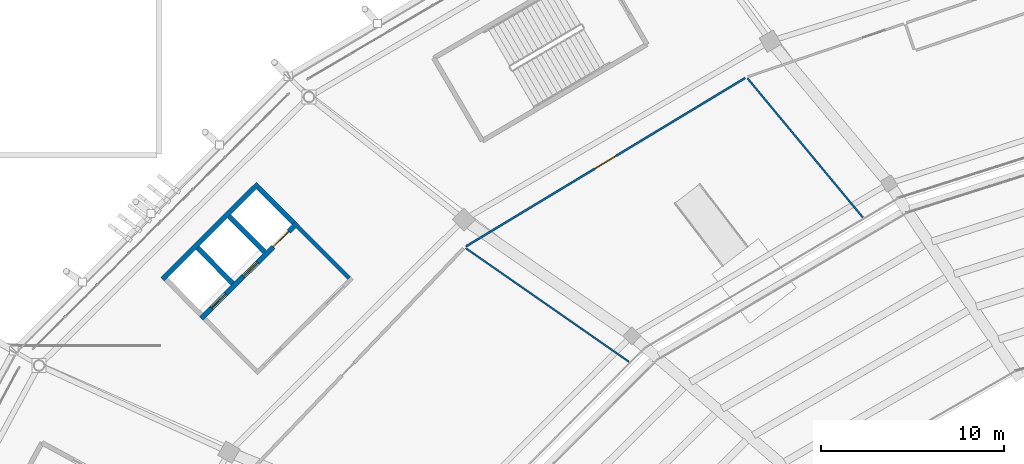
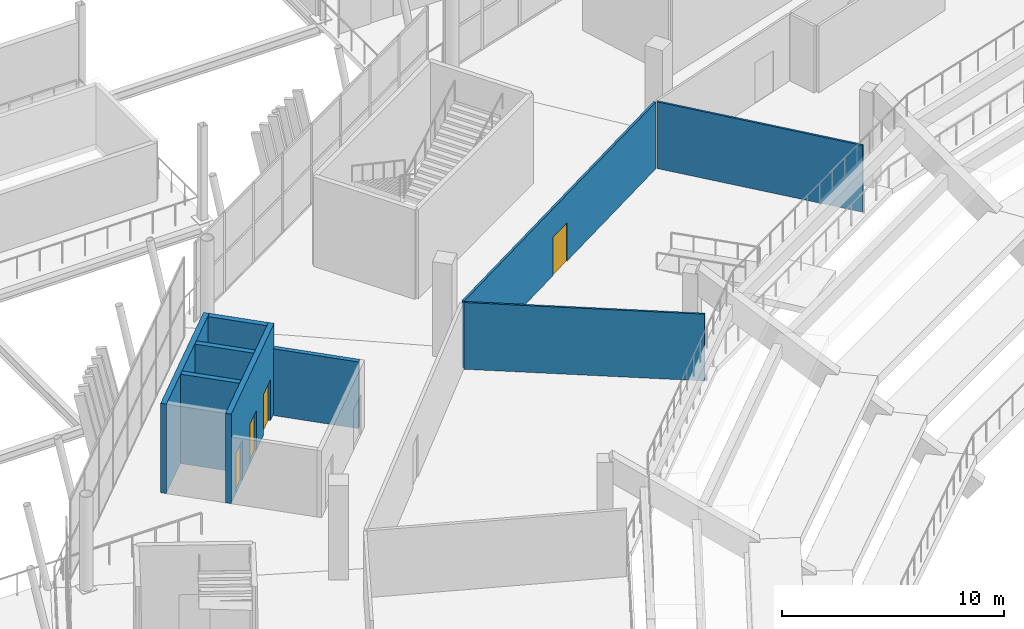
# One storey, part 125 of 178: 9 walls, 4 doors, 4 openings.
"""IFC4 building model written with IfcOpenShell, lengths in metres."""

from ifc_helpers import new_model, si_unit, direction, frame, frame_2d, origin, place, context, subcontext, project, spatial, rectangle, extrude, material, layer, layer_set, type_object, element, fill, save


model = new_model("IFC4")

# Units and contexts
model_context = context("Model", 3, precision=1e-05, world=origin(), true_north=direction((0.0, 1.0)))
body_context = subcontext(model_context, "Body", "Model", "MODEL_VIEW")
ifc_project = project(units=[si_unit("LENGTHUNIT", "METRE"), si_unit("AREAUNIT", "SQUARE_METRE"), si_unit("VOLUMEUNIT", "CUBIC_METRE"), si_unit("PLANEANGLEUNIT", "RADIAN"), si_unit("MASSUNIT", "GRAM", prefix="KILO")], contexts=[model_context])

# Site, building, storey
site_placement = place(None, origin())
site = spatial("IfcSite", under=ifc_project, at=site_placement, CompositionType="ELEMENT")
building_placement = place(site_placement, origin())
building = spatial("IfcBuilding", under=site, at=building_placement, Name="Zlatoyarsky Gate Stadium", CompositionType="ELEMENT")
storey_placement = place(building_placement, frame((0.0, 0.0, 5.39990234375)))
storey = spatial("IfcBuildingStorey", under=building, at=storey_placement, Name="L01", CompositionType="ELEMENT", Elevation=5.39990234375)

# Wall, opening, door
ifc_material_1 = material(Name="Anodised aluminium acoustic operable wall", Category="aluminium")
ifc_layer_1 = layer(ifc_material_1, 0.114990234375)
ifc_layer_set_1 = layer_set([ifc_layer_1], Name="Anodised aluminium acoustic operable wall")
wall_type_1 = type_object("IfcWallType", Name="ACOUSTIC OPERABLE SUITE WALL 115", PredefinedType="MOVABLE", material=ifc_layer_set_1)
wall_1_placement = place(storey_placement, frame((69.12548828125, 131.244384765625, 0.0), z_axis=(0.0, 0.0, 1.0), x_axis=(-0.856254564886, -0.516554082465, 0.0)))
wall_1 = element("IfcWall", 1, at=wall_1_placement, inside=storey, type_object=wall_type_1, Name="L01 vomitory portal wall PRT-L01-ICC-08", PredefinedType="MOVABLE", context=body_context, shape_type="SweptSolid", body=[
    extrude(rectangle(XDim=17.865966796875, YDim=0.114990234375, at=frame_2d((8.93310546875, 0.0))), origin(), (0.0, 0.0, 1.0), 3.670166015625),
])
opening_1_placement = place(wall_1_placement, frame((8.26318359375, 0.0, 0.0)))
opening_1 = element("IfcOpeningElement", 2, at=opening_1_placement, cuts=wall_1, Name="Opening D-L01-238", PredefinedType="OPENING", context=body_context, shape_type="SweptSolid", body=[
    extrude(rectangle(XDim=1.340087890625, YDim=2.10009765625, at=frame_2d((0.669921875, 1.050048828125))), frame((0.0, 0.0673828125, 0.0), z_axis=(0.0, -1.0, 0.0), x_axis=(1.0, 0.0, 0.0)), (0.0, 0.0, 1.0), 0.135009765625),
])
ifc_material_2 = material(Name="Solid-core oak veneer acoustic door", Category="wood")
door_type_1 = type_object("IfcDoorType", Name="ACOUSTIC INTERIOR DOOR 1340X2100", OperationType="NOTDEFINED", PredefinedType="DOOR", material=ifc_material_2)
door_1_placement = place(opening_1_placement, origin())
door_1 = element("IfcDoor", 3, at=door_1_placement, inside=storey, type_object=door_type_1, Name="L01 vomitory portal door D-L01-238", OperationType="SINGLE_SWING_RIGHT", OverallHeight=2.10009765625, OverallWidth=1.340087890625, PredefinedType="DOOR", context=body_context, shape_type="SweptSolid", body=[
    extrude(rectangle(XDim=1.340087890625, YDim=2.10009765625, at=frame_2d((0.669921875, 1.050048828125))), frame((0.0, 0.02490234375, 0.0), z_axis=(0.0, -1.0, 0.0), x_axis=(1.0, 0.0, 0.0)), (0.0, 0.0, 1.0), 0.050048828125),
])
fill(opening_1, door_1)

# Walls
ifc_material_3 = material(Name="Concrete C40/50", Category="concrete")
ifc_layer_2 = layer(ifc_material_3, 0.27001953125)
ifc_layer_set_2 = layer_set([ifc_layer_2], Name="Concrete C40/50")
wall_type_2 = type_object("IfcWallType", Name="CONCRETE LIFT SHAFT SHEAR WALL 270", PredefinedType="SHEAR", material=ifc_layer_set_2)
wall_2_placement = place(storey_placement, frame((42.452880859375, 125.443603515625, 0.0), z_axis=(0.0, 0.0, 1.0), x_axis=(-0.708902567846, -0.705306422274, 0.0)))
element("IfcWall", 4, at=wall_2_placement, inside=storey, type_object=wall_type_2, Name="C2 L01 lift shaft rear wall", PredefinedType="SHEAR", context=body_context, shape_type="SweptSolid", body=[
    extrude(rectangle(XDim=7.39990234375, YDim=0.27001953125, at=frame_2d((3.699951171875, 0.0))), origin(), (0.0, 0.0, 1.0), 4.920166015625),
])
for number, where, z_axis, x_axis, name in (
    (5, (42.45947265625, 125.24560546875, 0.0), (0.0, 0.0, 1.0), (0.705322518225, -0.708886553183, 0.0), "C2 L01 lift shaft left wall"),
    (6, (40.87158203125, 123.665771484375, 0.0), (0.0, 0.0, 1.0), (0.705322518225, -0.708886553183, 0.0), "C2 L01 lift shaft divider 1"),
    (7, (39.134765625, 121.937744140625, 0.0), (0.0, 0.0, 1.0), (0.705322518225, -0.708886553183, 0.0), "C2 L01 lift shaft divider 2"),
):
    element("IfcWall", number, at=place(storey_placement, frame(where, z_axis=z_axis, x_axis=x_axis)), inside=storey, type_object=wall_type_2, Name=name, PredefinedType="SHEAR", context=body_context, shape_type="SweptSolid", body=[
        extrude(rectangle(XDim=2.739990234375, YDim=0.27001953125, at=frame_2d((1.3701171875, 0.0))), origin(), (0.0, 0.0, 1.0), 4.920166015625),
    ])

# Wall, openings, doors
wall_3_placement = place(storey_placement, frame((44.590087890625, 123.295654296875, 0.0), z_axis=(0.0, 0.0, 1.0), x_axis=(-0.708918979457, -0.705289926602, 0.0)))
wall_3 = element("IfcWall", 8, at=wall_3_placement, inside=storey, type_object=wall_type_2, Name="C2 L01 lift landing front wall", PredefinedType="SHEAR", context=body_context, shape_type="SweptSolid", body=[
    extrude(rectangle(XDim=7.400146484375, YDim=0.27001953125, at=frame_2d((3.7001953125, 0.0))), origin(), (0.0, 0.0, 1.0), 4.920166015625),
])
opening_2_placement = place(wall_3_placement, frame((0.64990234375, 0.0, 0.0)))
opening_2 = element("IfcOpeningElement", 9, at=opening_2_placement, cuts=wall_3, Name="Opening LD-FL-02-L01", PredefinedType="OPENING", context=body_context, shape_type="SweptSolid", body=[
    extrude(rectangle(XDim=1.199951171875, YDim=2.25, at=frame_2d((0.60009765625, 1.125))), frame((0.0, 0.14501953125, 0.0), z_axis=(0.0, -1.0, 0.0), x_axis=(1.0, 0.0, 0.0)), (0.0, 0.0, 1.0), 0.2900390625),
])
opening_3_placement = place(wall_3_placement, frame((3.050048828125, 0.0, 0.0)))
opening_3 = element("IfcOpeningElement", 10, at=opening_3_placement, cuts=wall_3, Name="Opening LD-LF-03-L01", PredefinedType="OPENING", context=body_context, shape_type="SweptSolid", body=[
    extrude(rectangle(XDim=1.10009765625, YDim=2.199951171875, at=frame_2d((0.550048828125, 1.10009765625))), frame((0.0, 0.14501953125, 0.0), z_axis=(0.0, -1.0, 0.0), x_axis=(1.0, 0.0, 0.0)), (0.0, 0.0, 1.0), 0.2900390625),
])
opening_4_placement = place(wall_3_placement, frame((5.5, 0.0, 0.0)))
opening_4 = element("IfcOpeningElement", 11, at=opening_4_placement, cuts=wall_3, Name="Opening LD-LF-04-L01", PredefinedType="OPENING", context=body_context, shape_type="SweptSolid", body=[
    extrude(rectangle(XDim=1.10009765625, YDim=2.199951171875, at=frame_2d((0.550048828125, 1.10009765625))), frame((0.0, 0.14501953125, 0.0), z_axis=(0.0, -1.0, 0.0), x_axis=(1.0, 0.0, 0.0)), (0.0, 0.0, 1.0), 0.2900390625),
])
ifc_material_4 = material(Name="Powder-coated steel fire door", Category="steel")
door_type_2 = type_object("IfcDoorType", Name="STAINLESS LIFT LANDING SLIDING DOOR 1100X2200", OperationType="DOUBLE_DOOR_SLIDING", PredefinedType="DOOR", material=ifc_material_4)
door_2_placement = place(opening_3_placement, origin())
door_2 = element("IfcDoor", 12, at=door_2_placement, inside=storey, type_object=door_type_2, Name="Lift LF-03 L01 sliding landing door", OperationType="DOUBLE_DOOR_SLIDING", OverallHeight=2.199951171875, OverallWidth=1.10009765625, PredefinedType="DOOR", context=body_context, shape_type="SweptSolid", body=[
    extrude(rectangle(XDim=1.10009765625, YDim=2.199951171875, at=frame_2d((0.550048828125, 1.10009765625))), frame((0.0, 0.02490234375, 0.0), z_axis=(0.0, -1.0, 0.0), x_axis=(1.0, 0.0, 0.0)), (0.0, 0.0, 1.0), 0.050048828125),
])
fill(opening_3, door_2)
door_3_placement = place(opening_4_placement, origin())
door_3 = element("IfcDoor", 13, at=door_3_placement, inside=storey, type_object=door_type_2, Name="Lift LF-04 L01 sliding landing door", OperationType="DOUBLE_DOOR_SLIDING", OverallHeight=2.199951171875, OverallWidth=1.10009765625, PredefinedType="DOOR", context=body_context, shape_type="SweptSolid", body=[
    extrude(rectangle(XDim=1.10009765625, YDim=2.199951171875, at=frame_2d((0.550048828125, 1.10009765625))), frame((0.0, 0.02490234375, 0.0), z_axis=(0.0, -1.0, 0.0), x_axis=(1.0, 0.0, 0.0)), (0.0, 0.0, 1.0), 0.050048828125),
])
fill(opening_4, door_3)
door_type_3 = type_object("IfcDoorType", Name="STAINLESS LIFT LANDING SLIDING DOOR 1200X2250", OperationType="DOUBLE_DOOR_SLIDING", PredefinedType="DOOR", material=ifc_material_4)
door_4_placement = place(opening_2_placement, origin())
door_4 = element("IfcDoor", 14, at=door_4_placement, inside=storey, type_object=door_type_3, Name="Lift FL-02 L01 sliding landing door", OperationType="DOUBLE_DOOR_SLIDING", OverallHeight=2.25, OverallWidth=1.199951171875, PredefinedType="DOOR", context=body_context, shape_type="SweptSolid", body=[
    extrude(rectangle(XDim=1.199951171875, YDim=2.25, at=frame_2d((0.60009765625, 1.125))), frame((0.0, 0.02490234375, 0.0), z_axis=(0.0, -1.0, 0.0), x_axis=(1.0, 0.0, 0.0)), (0.0, 0.0, 1.0), 0.050048828125),
])
fill(opening_2, door_4)

# Walls
ifc_material_5 = material(Name="Autoclaved aerated concrete masonry EI 120", Category="masonry")
ifc_layer_3 = layer(ifc_material_5, 0.219970703125)
ifc_layer_set_3 = layer_set([ifc_layer_3], Name="Autoclaved aerated concrete masonry EI 120")
wall_type_3 = type_object("IfcWallType", Name="FIREFIGHTING LOBBY RATED WALL 220", PredefinedType="PARTITIONING", material=ifc_layer_set_3)
wall_4_placement = place(storey_placement, frame((44.621337890625, 123.1083984375, 0.0), z_axis=(0.0, 0.0, 1.0), x_axis=(0.705294916294, -0.708914015273, 0.0)))
element("IfcWall", 15, at=wall_4_placement, inside=storey, type_object=wall_type_3, Name="C2 L01 firefighting lobby left wall", PredefinedType="PARTITIONING", context=body_context, shape_type="SweptSolid", body=[
    extrude(rectangle(XDim=3.97998046875, YDim=0.219970703125, at=frame_2d((1.989990234375, 0.0))), origin(), (0.0, 0.0, 1.0), 3.670166015625),
])
ifc_material_6 = material(Name="Timber-veneered acoustic operable partition", Category="wood")
ifc_layer_4 = layer(ifc_material_6, 0.094970703125)
ifc_layer_set_4 = layer_set([ifc_layer_4], Name="Timber-veneered acoustic operable partition")
wall_type_4 = type_object("IfcWallType", Name="FOLDING BANQUET SALON WALL 95", PredefinedType="MOVABLE", material=ifc_layer_set_4)
wall_5_placement = place(storey_placement, frame((62.756591796875, 115.70654296875, 0.0), z_axis=(0.0, 0.0, 1.0), x_axis=(-0.820773029495, 0.571254438979, 0.0)))
element("IfcWall", 16, at=wall_5_placement, inside=storey, type_object=wall_type_4, Name="L01 interior partition PRT-L01-IRD-09", PredefinedType="MOVABLE", context=body_context, shape_type="SweptSolid", body=[
    extrude(rectangle(XDim=10.88232421875, YDim=0.094970703125, at=frame_2d((5.441162109375, 0.0))), origin(), (0.0, 0.0, 1.0), 3.670166015625),
])
ifc_material_7 = material(Name="Metal-stud gypsum partition", Category="gypsum")
ifc_layer_5 = layer(ifc_material_7, 0.10009765625)
ifc_layer_set_5 = layer_set([ifc_layer_5], Name="Metal-stud gypsum partition")
wall_type_5 = type_object("IfcWallType", Name="LIGHT STORAGE PARTITION 100", PredefinedType="PARTITIONING", material=ifc_layer_set_5)
wall_6_placement = place(storey_placement, frame((75.561767578125, 123.61572265625, 0.0), z_axis=(0.0, 0.0, 1.0), x_axis=(-0.638377281396, 0.769723617019, 0.0)))
element("IfcWall", 17, at=wall_6_placement, inside=storey, type_object=wall_type_5, Name="L01 interior partition PRT-L01-IRD-08", PredefinedType="PARTITIONING", context=body_context, shape_type="SweptSolid", body=[
    extrude(rectangle(XDim=9.883056640625, YDim=0.10009765625, at=frame_2d((4.94140625, 0.0))), origin(), (0.0, 0.0, 1.0), 3.670166015625),
])

save(model, "model.ifc")
